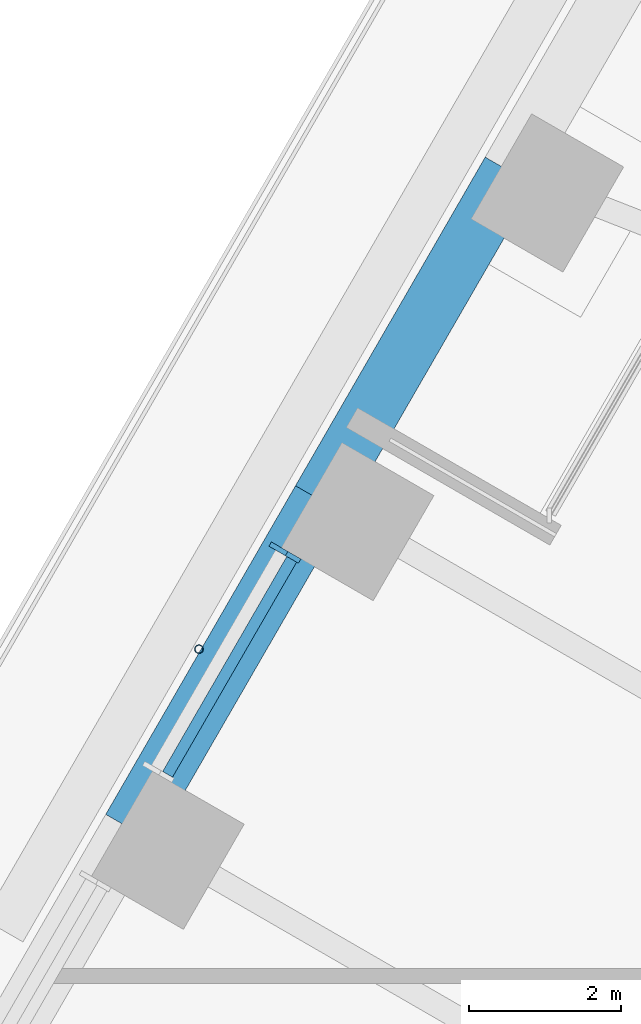
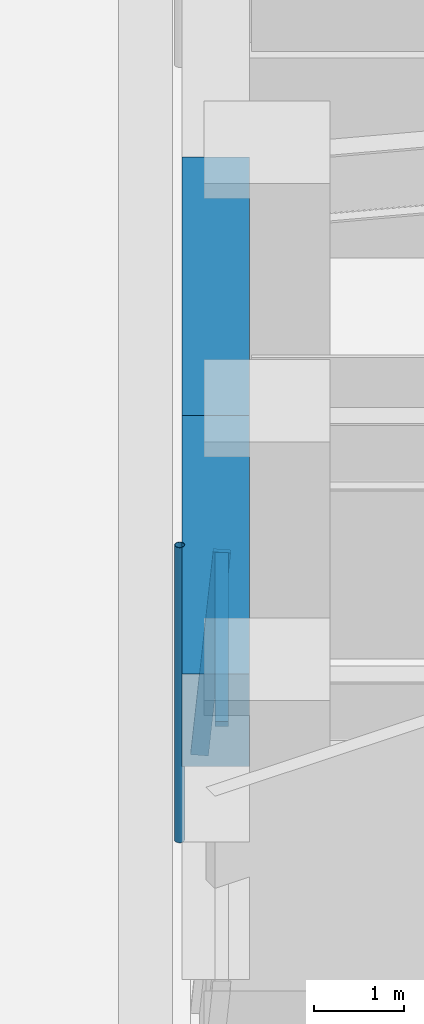
# One storey, part 7 of 24: 3 members, 2 beams, 1 element without a shape of its own.
"""IFC4 building model written with IfcOpenShell, lengths in metres."""

from ifc_helpers import new_model, si_unit, direction, frame, origin, origin_2d, place, context, subcontext, project, spatial, rectangle, hollow_circle, extrude, material, material_profile, profile_set, type_object, element, aggregate, save


model = new_model("IFC4")

# Units and contexts
model_context = context("Model", 3, precision=1e-05, world=origin(), true_north=direction((0.0, 1.0)))
body_context = subcontext(model_context, "Body", "Model", "MODEL_VIEW")
ifc_project = project(units=[si_unit("LENGTHUNIT", "METRE"), si_unit("AREAUNIT", "SQUARE_METRE"), si_unit("VOLUMEUNIT", "CUBIC_METRE"), si_unit("PLANEANGLEUNIT", "RADIAN"), si_unit("MASSUNIT", "GRAM", prefix="KILO")], contexts=[model_context])

# Site, building, storey
site_placement = place(None, origin())
site = spatial("IfcSite", under=ifc_project, at=site_placement, CompositionType="ELEMENT")
building_placement = place(site_placement, origin())
building = spatial("IfcBuilding", under=site, at=building_placement, Name="Tarfa Lantern Tower", CompositionType="ELEMENT")
storey_placement = place(building_placement, frame((0.0, 0.0, 169.89990234375)))
storey = spatial("IfcBuildingStorey", under=building, at=storey_placement, Name="L38", CompositionType="ELEMENT", Elevation=169.89990234375)

# Curtain wall, members
ifc_material_1 = material(Name="Aluminium framed curtain wall", Category="aluminium")
curtain_wall_type = type_object("IfcCurtainWallType", Name="CW2 CANTED GLAZING MID ZONE 2750", PredefinedType="USERDEFINED", material=ifc_material_1)
curtain_wall_placement = place(storey_placement, origin())
curtain_wall = element("IfcCurtainWall", 1, at=curtain_wall_placement, inside=storey, type_object=curtain_wall_type, Name="CW2 NWB L38", ObjectType="CURTAIN WALL", PredefinedType="USERDEFINED")
ifc_material_2 = material(Name="Aluminium mullion", Category="aluminium")
ifc_material_profile_1 = material_profile(ifc_material_2, rectangle(XDim=0.06494140625, YDim=0.199951171875, at=origin_2d()), Name="AL MULLION 65x200")
ifc_profile_set_1 = profile_set([ifc_material_profile_1], Name="Aluminium mullion")
member_type_1 = type_object("IfcMemberType", Name="CWM1 MULLION 65x200", PredefinedType="MULLION", material=ifc_profile_set_1)
member_1_placement = place(storey_placement, frame((-30.111328125, 10.645751953125, 0.0), z_axis=(0.078422950161, -0.045267813396, 0.995891894715), x_axis=(0.499919672301, 0.866071776036, 0.0)))
member_1 = element("IfcMember", 2, at=member_1_placement, type_object=member_type_1, Name="CW2 mullion 1", PredefinedType="MULLION", context=body_context, shape_type="SweptSolid", body=[
    extrude(rectangle(XDim=0.06494140625, YDim=0.199951171875, at=origin_2d()), origin(), (0.0, 0.0, 1.0), 2.76123046875),
])
ifc_material_3 = material(Name="Aluminium transom", Category="aluminium")
ifc_material_profile_2 = material_profile(ifc_material_3, rectangle(XDim=0.14990234375, YDim=0.06494140625, at=origin_2d()), Name="AL TRANSOM 150x65")
ifc_profile_set_2 = profile_set([ifc_material_profile_2], Name="Aluminium transom")
member_type_2 = type_object("IfcMemberType", Name="CWT1 TRANSOM 150x65", PredefinedType="USERDEFINED", material=ifc_profile_set_2)
member_2_placement = place(storey_placement, frame((-29.91357421875, 10.494140625, 2.717529296875), z_axis=(-0.500012937857, -0.86601793398, 0.0), x_axis=(0.86601793398, -0.500012937857, 0.0)))
member_2 = element("IfcMember", 3, at=member_2_placement, type_object=member_type_2, Name="CW2 transom 1.2", ObjectType="TRANSOM", PredefinedType="USERDEFINED", context=body_context, shape_type="SweptSolid", body=[
    extrude(rectangle(XDim=0.14990234375, YDim=0.06494140625, at=origin_2d()), origin(), (0.0, 0.0, 1.0), 3.27392578125),
])
aggregate(curtain_wall, [member_1, member_2])

# Beams
ifc_material_4 = material(Name="Concrete C80/95", Category="concrete")
ifc_material_profile_3 = material_profile(ifc_material_4, rectangle(XDim=0.75, YDim=1.25, at=origin_2d()), Name="RC 750x1250")
ifc_profile_set_3 = profile_set([ifc_material_profile_3], Name="Concrete C80/95")
beam_type = type_object("IfcBeamType", Name="EB2 RC 750x1250", PredefinedType="SPANDREL", material=ifc_profile_set_3)
for number, where, z_axis, x_axis, name in (
    (4, (-27.037353515625, 15.610107421875, 3.375), (-0.499964603504, -0.866045838996, 0.0), (0.866045838996, -0.499964603504, 0.0), "Edge beam NW3"),
    (5, (-29.5390625, 11.276611328125, 3.375), (-0.500022324899, -0.866012514114, 0.0), (0.866012514114, -0.500022324899, 0.0), "Edge beam NW4"),
):
    element("IfcBeam", number, at=place(storey_placement, frame(where, z_axis=z_axis, x_axis=x_axis)), inside=storey, type_object=beam_type, Name=name, PredefinedType="SPANDREL", context=body_context, shape_type="SweptSolid", body=[
        extrude(rectangle(XDim=0.75, YDim=1.25, at=origin_2d()), origin(), (0.0, 0.0, 1.0), 5.003662109375),
    ])

# Member
ifc_material_5 = material(Name="Steel S355", Category="steel")
ifc_material_profile_4 = material_profile(ifc_material_5, hollow_circle(Radius=0.05712890625, WallThickness=0.00634765625, at=origin_2d()), Name="CHS114.3x6.3")
ifc_profile_set_4 = profile_set([ifc_material_profile_4], Name="Steel S355")
member_type_3 = type_object("IfcMemberType", Name="TR1 GREEN WALL TRELLIS CHS114.3x6.3", PredefinedType="USERDEFINED", material=ifc_profile_set_4)
member_3_placement = place(storey_placement, frame((-31.136474609375, 9.31005859375, 0.0), z_axis=(0.0, 0.0, 1.0), x_axis=(1.0, 0.0, 0.0)))
element("IfcMember", 6, at=member_3_placement, inside=storey, type_object=member_type_3, Name="Trellis post NW 2", ObjectType="TRELLIS", PredefinedType="USERDEFINED", context=body_context, shape_type="SweptSolid", body=[
    extrude(hollow_circle(Radius=0.05712890625, WallThickness=0.00634765625, at=origin_2d()), origin(), (0.0, 0.0, 1.0), 4.0),
])

save(model, "model.ifc")
